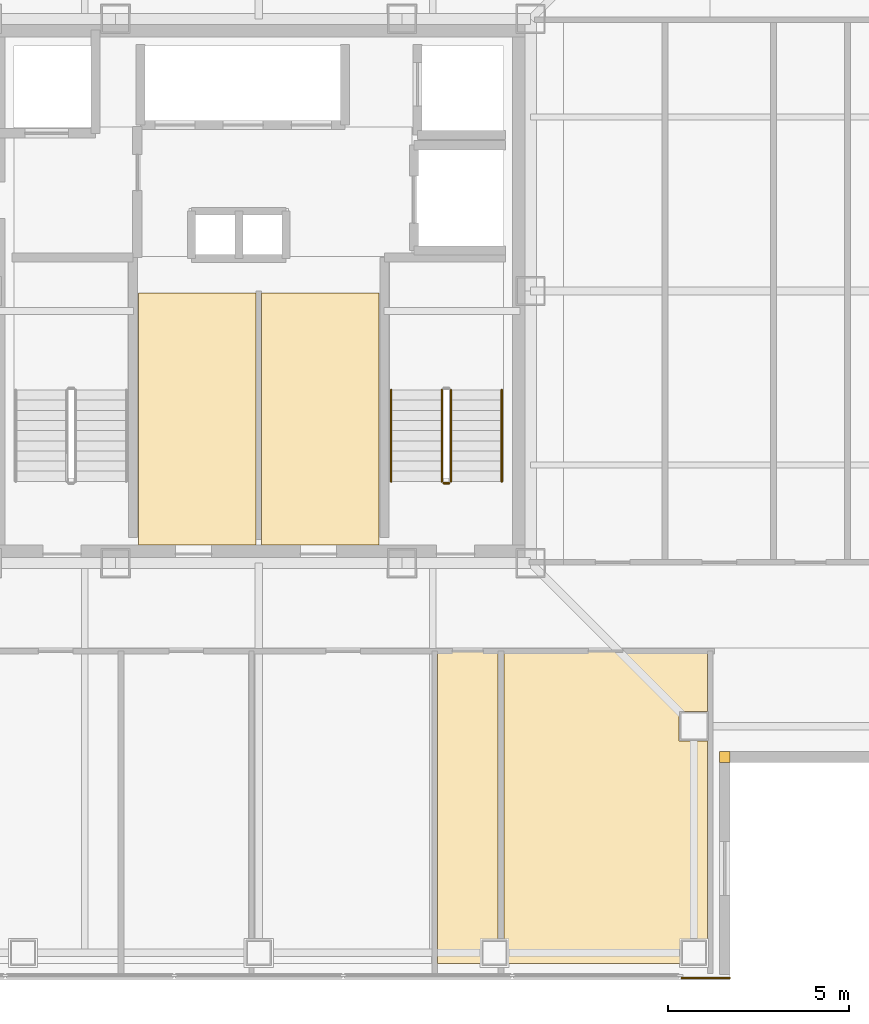
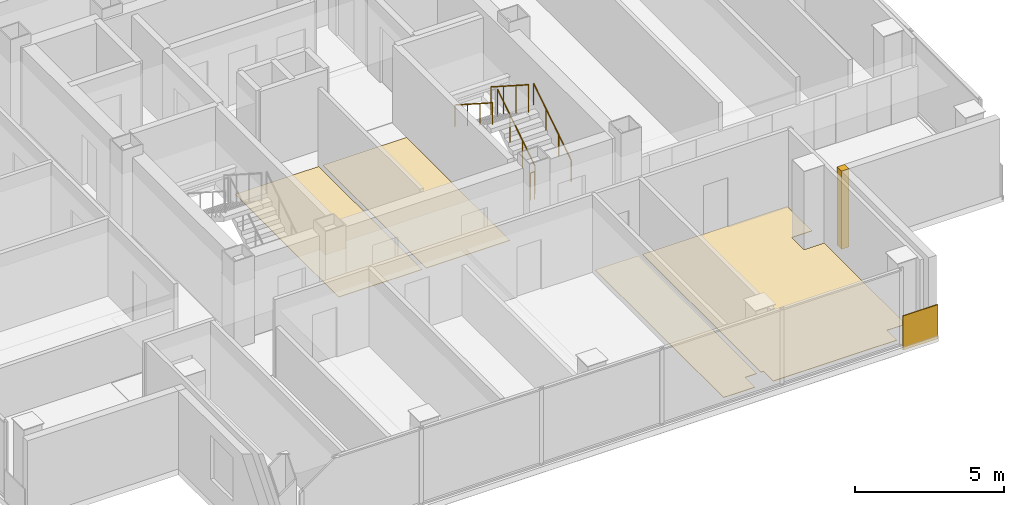
# One storey, part 12 of 16: 6 coverings, 5 railings.
"""IFC4 building model written with IfcOpenShell, lengths in metres."""

from ifc_helpers import new_model, si_unit, direction, frame, frame_2d, origin, origin_2d, place, context, subcontext, project, spatial, polyline, rectangle, circle, outline, extrude, material, layer, layer_set, type_object, element, save


model = new_model("IFC4")

# Units and contexts
model_context = context("Model", 3, precision=1e-05, world=origin(), true_north=direction((0.0, 1.0)))
body_context = subcontext(model_context, "Body", "Model", "MODEL_VIEW")
ifc_project = project(units=[si_unit("LENGTHUNIT", "METRE"), si_unit("AREAUNIT", "SQUARE_METRE"), si_unit("VOLUMEUNIT", "CUBIC_METRE"), si_unit("PLANEANGLEUNIT", "RADIAN"), si_unit("MASSUNIT", "GRAM", prefix="KILO")], contexts=[model_context])

# Site, building, storey
site_placement = place(None, origin())
site = spatial("IfcSite", under=ifc_project, at=site_placement, CompositionType="ELEMENT")
building_placement = place(site_placement, origin())
building = spatial("IfcBuilding", under=site, at=building_placement, Name="Trevonay Congress Spire", CompositionType="ELEMENT")
storey_placement = place(building_placement, frame((0.0, 0.0, 297.199951171875)))
storey = spatial("IfcBuildingStorey", under=building, at=storey_placement, Name="L78", CompositionType="ELEMENT", Elevation=297.199951171875)

# Coverings
ifc_material_1 = material(Name="Polished Granite Floor Tile", Category="masonry")
ifc_layer_1 = layer(ifc_material_1, 0.02001953125, Name="Polished Granite Floor Tile")
ifc_layer_set_1 = layer_set([ifc_layer_1], Name="Polished Granite Floor Tile")
covering_type_1 = type_object("IfcCoveringType", Name="COV-FLOOR-STONE", PredefinedType="FLOORING", material=ifc_layer_set_1)
covering_1_placement = place(storey_placement, origin())
element("IfcCovering", 1, at=covering_1_placement, inside=storey, type_object=covering_type_1, Name="L78 Core Server and IT Hub floor finish", PredefinedType="FLOORING", context=body_context, shape_type="SweptSolid", body=[
    extrude(outline(polyline([(-3.320068359375, -7.0), (-0.080078125, -7.0), (-0.080078125, -0.050048828125), (-3.320068359375, -0.050048828125), (-3.320068359375, -7.0)])), origin(), (0.0, 0.0, 1.0), 0.02001953125),
])
covering_2_placement = place(storey_placement, origin())
element("IfcCovering", 2, at=covering_2_placement, inside=storey, type_object=covering_type_1, Name="L78 Core Document Archive Room floor finish", PredefinedType="FLOORING", context=body_context, shape_type="SweptSolid", body=[
    extrude(outline(polyline([(0.080078125, -7.0), (3.320068359375, -7.0), (3.320068359375, -0.050048828125), (0.080078125, -0.050048828125), (0.080078125, -7.0)])), origin(), (0.0, 0.0, 1.0), 0.02001953125),
])
covering_3_placement = place(storey_placement, origin())
element("IfcCovering", 3, at=covering_3_placement, inside=storey, type_object=covering_type_1, Name="L78 Accessible WC floor finish", PredefinedType="FLOORING", context=body_context, shape_type="SweptSolid", body=[
    extrude(outline(polyline([(4.929931640625, -18.550048828125), (4.929931640625, -9.929931640625), (6.60009765625, -9.929931640625), (6.60009765625, -17.889892578125), (6.139892578125, -17.889892578125), (6.139892578125, -18.550048828125), (4.929931640625, -18.550048828125)])), origin(), (0.0, 0.0, 1.0), 0.02001953125),
])
covering_4_placement = place(storey_placement, origin())
element("IfcCovering", 4, at=covering_4_placement, inside=storey, type_object=covering_type_1, Name="L78 Floor Supplies and Copy Room floor finish", PredefinedType="FLOORING", context=body_context, shape_type="SweptSolid", body=[
    extrude(outline(polyline([(6.860107421875, -18.550048828125), (6.860107421875, -17.889892578125), (6.760009765625, -17.889892578125), (6.760009765625, -9.929931640625), (12.3701171875, -9.929931640625), (12.3701171875, -11.590087890625), (11.590087890625, -11.590087890625), (11.590087890625, -12.409912109375), (12.3701171875, -12.409912109375), (12.3701171875, -18.550048828125), (12.360107421875, -18.550048828125), (12.360107421875, -17.889892578125), (11.639892578125, -17.889892578125), (11.639892578125, -18.550048828125), (6.860107421875, -18.550048828125)])), origin(), (0.0, 0.0, 1.0), 0.02001953125),
])
ifc_material_2 = material(Name="Pale Anodised Aluminium EN AW-6063-T6", Category="aluminium")
ifc_layer_2 = layer(ifc_material_2, 0.0400390625, Name="Pale Anodised Aluminium EN AW-6063-T6")
ifc_layer_set_2 = layer_set([ifc_layer_2], Name="Pale Anodised Aluminium EN AW-6063-T6")
covering_type_2 = type_object("IfcCoveringType", Name="COV-SPANDREL-PALE-METAL", PredefinedType="CLADDING", material=ifc_layer_set_2)
covering_5_placement = place(storey_placement, origin())
element("IfcCovering", 5, at=covering_5_placement, inside=storey, type_object=covering_type_2, Name="L78 SE re-entrant notch corner closure trim", PredefinedType="CLADDING", context=body_context, shape_type="SweptSolid", body=[
    extrude(outline(polyline([(12.699951171875, -13.0), (13.0, -13.0), (13.0, -12.699951171875), (12.699951171875, -12.699951171875), (12.699951171875, -13.0)])), origin(), (0.0, 0.0, 1.0), 3.199951171875),
])
covering_6_placement = place(storey_placement, frame((11.64990234375, -18.93994140625, -0.14990234375), z_axis=(0.0, 0.0, 1.0), x_axis=(1.0, 0.0, 0.0)))
element("IfcCovering", 6, at=covering_6_placement, inside=storey, type_object=covering_type_2, Name="L78 SE corner pier spandrel cladding 2", PredefinedType="CLADDING", context=body_context, shape_type="SweptSolid", body=[
    extrude(rectangle(XDim=1.35009765625, YDim=0.0400390625, at=frame_2d((0.675048828125, 0.0))), origin(), (0.0, 0.0, 1.0), 1.39990234375),
])

# Railings
railing_type_1 = type_object("IfcRailingType", Name="RAL-STAIR-GUARD-110", PredefinedType="GUARDRAIL", material=ifc_material_2)
railing_1_placement = place(storey_placement, frame((5.300048828125, -5.25, 0.179931640625)))
element("IfcRailing", 7, at=railing_1_placement, inside=storey, type_object=railing_type_1, Name="L78 ST-2 stair guard 1", PredefinedType="GUARDRAIL", context=body_context, shape_type="SweptSolid", body=[
    extrude(circle(Radius=0.02392578125, at=origin_2d()), frame((0.0, 0.0, 1.1259765625), z_axis=(0.0, 0.841162588446, 0.540782303519), x_axis=(-1.0, 0.0, 0.0)), (0.0, 0.0, 1.0), 2.995849609375),
    extrude(circle(Radius=0.02099609375, at=origin_2d()), origin(), (0.0, 0.0, 1.0), 1.101806640625),
    extrude(circle(Radius=0.02099609375, at=origin_2d()), frame((0.0, 0.840087890625, 0.5400390625)), (0.0, 0.0, 1.0), 1.101806640625),
    extrude(circle(Radius=0.02099609375, at=origin_2d()), frame((0.0, 1.679931640625, 1.080078125)), (0.0, 0.0, 1.0), 1.101806640625),
    extrude(circle(Radius=0.02099609375, at=origin_2d()), frame((0.0, 2.52001953125, 1.6201171875)), (0.0, 0.0, 1.0), 1.101806640625),
])
railing_2_placement = place(storey_placement, frame((5.050048828125, -2.72998046875, 1.97998046875)))
element("IfcRailing", 8, at=railing_2_placement, inside=storey, type_object=railing_type_1, Name="L78 ST-2 stair guard 3", PredefinedType="GUARDRAIL", context=body_context, shape_type="SweptSolid", body=[
    extrude(circle(Radius=0.02392578125, at=origin_2d()), frame((0.0, 0.0, 1.1259765625), z_axis=(0.0, -0.841162588446, 0.540782303519), x_axis=(1.0, 0.0, 0.0)), (0.0, 0.0, 1.0), 2.995849609375),
    extrude(circle(Radius=0.02099609375, at=origin_2d()), origin(), (0.0, 0.0, 1.0), 1.101806640625),
    extrude(circle(Radius=0.02099609375, at=origin_2d()), frame((0.0, -0.840087890625, 0.5400390625)), (0.0, 0.0, 1.0), 1.101806640625),
    extrude(circle(Radius=0.02099609375, at=origin_2d()), frame((0.0, -1.679931640625, 1.080078125)), (0.0, 0.0, 1.0), 1.101806640625),
    extrude(circle(Radius=0.02099609375, at=origin_2d()), frame((0.0, -2.52001953125, 1.6201171875)), (0.0, 0.0, 1.0), 1.101806640625),
])
railing_3_placement = place(storey_placement, frame((5.25, -5.300048828125, 0.0)))
element("IfcRailing", 9, at=railing_3_placement, inside=storey, type_object=railing_type_1, Name="L78 ST-2 stair guard 4", PredefinedType="GUARDRAIL", context=body_context, shape_type="SweptSolid", body=[
    extrude(circle(Radius=0.02392578125, at=origin_2d()), frame((0.0, 0.0, 1.1259765625), z_axis=(-1.0, 0.0, 0.0), x_axis=(0.0, -1.0, 0.0)), (0.0, 0.0, 1.0), 0.14990234375),
    extrude(circle(Radius=0.02099609375, at=origin_2d()), origin(), (0.0, 0.0, 1.0), 1.101806640625),
    extrude(circle(Radius=0.02099609375, at=origin_2d()), frame((-0.14990234375, 0.0, 0.0)), (0.0, 0.0, 1.0), 1.101806640625),
])
railing_type_2 = type_object("IfcRailingType", Name="RAL-STAIR-HANDRAIL", PredefinedType="HANDRAIL", material=ifc_material_2)
railing_4_placement = place(storey_placement, frame((6.699951171875, -5.25, 0.179931640625)))
element("IfcRailing", 10, at=railing_4_placement, inside=storey, type_object=railing_type_2, Name="L78 ST-2 stair handrail 1", PredefinedType="HANDRAIL", context=body_context, shape_type="SweptSolid", body=[
    extrude(circle(Radius=0.02392578125, at=origin_2d()), frame((0.0, 0.0, 0.8759765625), z_axis=(0.0, 0.841162588446, 0.540782303519), x_axis=(-1.0, 0.0, 0.0)), (0.0, 0.0, 1.0), 2.995849609375),
    extrude(circle(Radius=0.02099609375, at=origin_2d()), origin(), (0.0, 0.0, 1.0), 0.851806640625),
    extrude(circle(Radius=0.02099609375, at=origin_2d()), frame((0.0, 0.840087890625, 0.5400390625)), (0.0, 0.0, 1.0), 0.851806640625),
    extrude(circle(Radius=0.02099609375, at=origin_2d()), frame((0.0, 1.679931640625, 1.080078125)), (0.0, 0.0, 1.0), 0.851806640625),
    extrude(circle(Radius=0.02099609375, at=origin_2d()), frame((0.0, 2.52001953125, 1.6201171875)), (0.0, 0.0, 1.0), 0.851806640625),
])
railing_5_placement = place(storey_placement, frame((3.64990234375, -2.72998046875, 1.97998046875)))
element("IfcRailing", 11, at=railing_5_placement, inside=storey, type_object=railing_type_2, Name="L78 ST-2 stair handrail 2", PredefinedType="HANDRAIL", context=body_context, shape_type="SweptSolid", body=[
    extrude(circle(Radius=0.02392578125, at=origin_2d()), frame((0.0, 0.0, 0.8759765625), z_axis=(0.0, -0.841162588446, 0.540782303519), x_axis=(1.0, 0.0, 0.0)), (0.0, 0.0, 1.0), 2.995849609375),
    extrude(circle(Radius=0.02099609375, at=origin_2d()), origin(), (0.0, 0.0, 1.0), 0.851806640625),
    extrude(circle(Radius=0.02099609375, at=origin_2d()), frame((0.0, -0.840087890625, 0.5400390625)), (0.0, 0.0, 1.0), 0.851806640625),
    extrude(circle(Radius=0.02099609375, at=origin_2d()), frame((0.0, -1.679931640625, 1.080078125)), (0.0, 0.0, 1.0), 0.851806640625),
    extrude(circle(Radius=0.02099609375, at=origin_2d()), frame((0.0, -2.52001953125, 1.6201171875)), (0.0, 0.0, 1.0), 0.851806640625),
])

save(model, "model.ifc")
